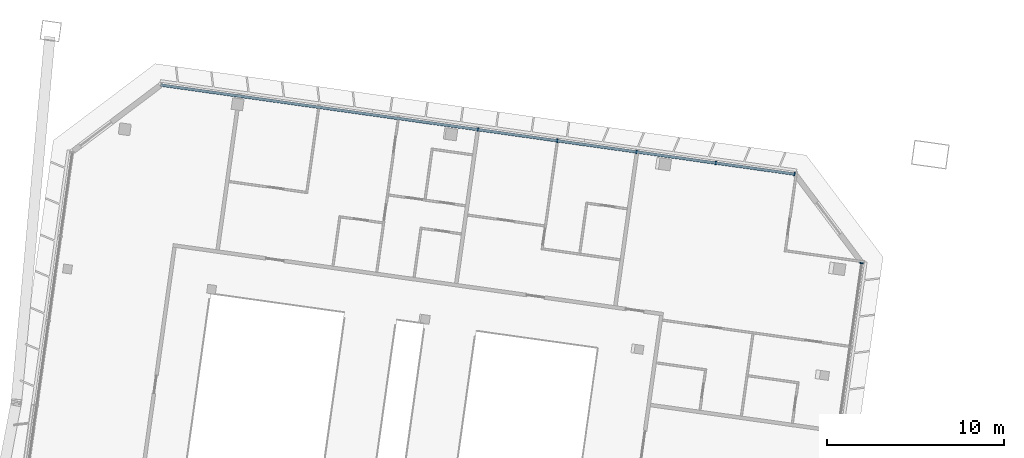
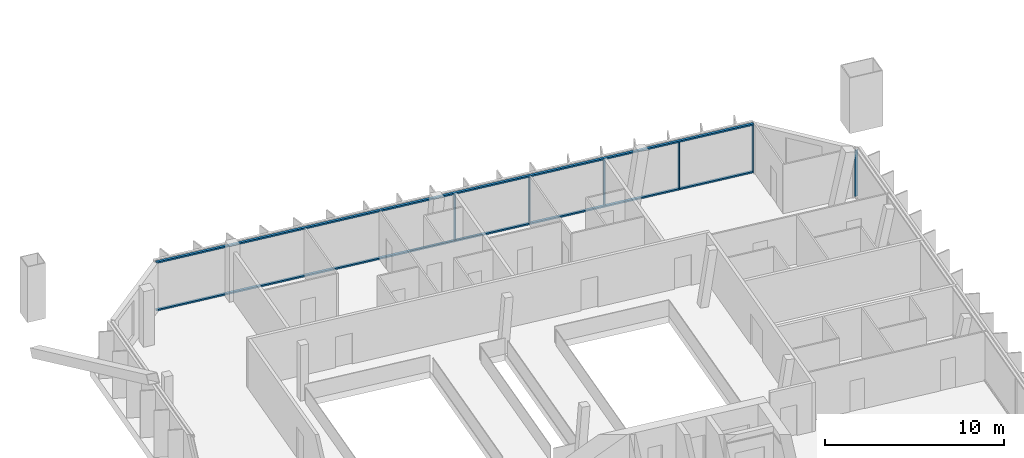
# One storey, part 5 of 19: 8 members, 2 elements without a shape of their own.
"""IFC4 building model written with IfcOpenShell, lengths in metres."""

from ifc_helpers import new_model, si_unit, direction, frame, origin, origin_2d, place, context, subcontext, project, spatial, rectangle, extrude, material, material_profile, profile_set, type_object, element, aggregate, save


model = new_model("IFC4")

# Units and contexts
model_context = context("Model", 3, precision=1e-05, world=origin(), true_north=direction((0.0, 1.0)))
body_context = subcontext(model_context, "Body", "Model", "MODEL_VIEW")
ifc_project = project(units=[si_unit("LENGTHUNIT", "METRE"), si_unit("AREAUNIT", "SQUARE_METRE"), si_unit("VOLUMEUNIT", "CUBIC_METRE"), si_unit("PLANEANGLEUNIT", "RADIAN"), si_unit("MASSUNIT", "GRAM", prefix="KILO")], contexts=[model_context])

# Site, building, storey
site_placement = place(None, origin())
site = spatial("IfcSite", under=ifc_project, at=site_placement, CompositionType="ELEMENT")
building_placement = place(site_placement, origin())
building = spatial("IfcBuilding", under=site, at=building_placement, Name="Mirante Cascada Hotel Towers", CompositionType="ELEMENT")
storey_placement = place(building_placement, frame((0.0, 0.0, 239.4)))
storey = spatial("IfcBuildingStorey", under=building, at=storey_placement, Name="L57", CompositionType="ELEMENT", Elevation=239.4)

# Curtain wall, members
ifc_material_1 = material(Name="Aluminium mullion and transom frame with clear laminated glass", Category="aluminium")
curtain_wall_type_1 = type_object("IfcCurtainWallType", Name="Ribbon curtain wall ECW1", PredefinedType="NOTDEFINED", material=ifc_material_1)
curtain_wall_1_placement = place(storey_placement, origin())
curtain_wall_1 = element("IfcCurtainWall", 1, at=curtain_wall_1_placement, inside=storey, type_object=curtain_wall_type_1, Name="Front ribbon wall T1 L57", PredefinedType="NOTDEFINED")
ifc_material_2 = material(Name="Anodised aluminium extrusion", Category="aluminium")
ifc_material_profile_1 = material_profile(ifc_material_2, rectangle(XDim=0.2, YDim=0.065, at=origin_2d()), Name="ECW1 MULLION 65x200")
ifc_profile_set_1 = profile_set([ifc_material_profile_1], Name="Anodised aluminium extrusion")
member_type_1 = type_object("IfcMemberType", Name="ECW1 mullion 65x200", PredefinedType="MULLION", material=ifc_profile_set_1)
member_1_placement = place(storey_placement, frame((-40.6386, 18.5304, 0.1), z_axis=(0.0, 0.0, 1.0), x_axis=(0.1391731, 0.9902681, 0.0)))
member_1 = element("IfcMember", 2, at=member_1_placement, type_object=member_type_1, Name="ECW1 mullion 5", PredefinedType="MULLION", context=body_context, shape_type="SweptSolid", body=[
    extrude(rectangle(XDim=0.2, YDim=0.065, at=origin_2d()), origin(), (0.0, 0.0, 1.0), 3.15),
])
member_2_placement = place(storey_placement, frame((-36.1712, 17.9026, 0.1), z_axis=(0.0, 0.0, 1.0), x_axis=(0.1391731, 0.9902681, 0.0)))
member_2 = element("IfcMember", 3, at=member_2_placement, type_object=member_type_1, Name="ECW1 mullion 6", PredefinedType="MULLION", context=body_context, shape_type="SweptSolid", body=[
    extrude(rectangle(XDim=0.2, YDim=0.065, at=origin_2d()), origin(), (0.0, 0.0, 1.0), 3.15),
])
member_3_placement = place(storey_placement, frame((-31.7037, 17.2747, 0.1), z_axis=(0.0, 0.0, 1.0), x_axis=(0.1391731, 0.9902681, 0.0)))
member_3 = element("IfcMember", 4, at=member_3_placement, type_object=member_type_1, Name="ECW1 mullion 7", PredefinedType="MULLION", context=body_context, shape_type="SweptSolid", body=[
    extrude(rectangle(XDim=0.2, YDim=0.065, at=origin_2d()), origin(), (0.0, 0.0, 1.0), 3.15),
])
member_4_placement = place(storey_placement, frame((-27.2363, 16.6468, 0.1), z_axis=(0.0, 0.0, 1.0), x_axis=(0.1391731, 0.9902681, 0.0)))
member_4 = element("IfcMember", 5, at=member_4_placement, type_object=member_type_1, Name="ECW1 mullion 8", PredefinedType="MULLION", context=body_context, shape_type="SweptSolid", body=[
    extrude(rectangle(XDim=0.2, YDim=0.065, at=origin_2d()), origin(), (0.0, 0.0, 1.0), 3.15),
])
member_5_placement = place(storey_placement, frame((-22.801, 16.0235, 0.1), z_axis=(0.0, 0.0, 1.0), x_axis=(0.1391731, 0.9902681, 0.0)))
member_5 = element("IfcMember", 6, at=member_5_placement, type_object=member_type_1, Name="ECW1 mullion 9", PredefinedType="MULLION", context=body_context, shape_type="SweptSolid", body=[
    extrude(rectangle(XDim=0.2, YDim=0.065, at=origin_2d()), origin(), (0.0, 0.0, 1.0), 3.15),
])
ifc_material_3 = material(Name="Anodised aluminium extrusion", Category="aluminium")
ifc_material_profile_2 = material_profile(ifc_material_3, rectangle(XDim=0.16, YDim=0.1, at=origin_2d()), Name="ECW1 TRANSOM 100x160")
ifc_profile_set_2 = profile_set([ifc_material_profile_2], Name="Anodised aluminium extrusion")
member_type_2 = type_object("IfcMemberType", Name="ECW1 transom 100x160", PredefinedType="USERDEFINED", material=ifc_profile_set_2)
member_6_placement = place(storey_placement, frame((-58.5085, 21.0419, 0.05), z_axis=(0.990268, -0.1391734, 0.0), x_axis=(0.1391734, 0.990268, 0.0)))
member_6 = element("IfcMember", 7, at=member_6_placement, type_object=member_type_2, Name="ECW1 sill transom", ObjectType="TRANSOM", PredefinedType="USERDEFINED", context=body_context, shape_type="SweptSolid", body=[
    extrude(rectangle(XDim=0.16, YDim=0.1, at=origin_2d()), origin(), (0.0, 0.0, 1.0), 36.0909),
])
member_7_placement = place(storey_placement, frame((-58.5085, 21.0419, 3.3), z_axis=(0.990268, -0.1391734, 0.0), x_axis=(0.1391734, 0.990268, 0.0)))
member_7 = element("IfcMember", 8, at=member_7_placement, type_object=member_type_2, Name="ECW1 head transom", ObjectType="TRANSOM", PredefinedType="USERDEFINED", context=body_context, shape_type="SweptSolid", body=[
    extrude(rectangle(XDim=0.16, YDim=0.1, at=origin_2d()), origin(), (0.0, 0.0, 1.0), 36.0909),
])
aggregate(curtain_wall_1, [member_6, member_7, member_1, member_2, member_3, member_4, member_5])

# Curtain wall, member
ifc_material_4 = material(Name="Aluminium mullion and transom frame with clear laminated glass", Category="aluminium")
curtain_wall_type_2 = type_object("IfcCurtainWallType", Name="End ribbon curtain wall ECW2", PredefinedType="NOTDEFINED", material=ifc_material_4)
curtain_wall_2_placement = place(storey_placement, origin())
curtain_wall_2 = element("IfcCurtainWall", 9, at=curtain_wall_2_placement, inside=storey, type_object=curtain_wall_type_2, Name="Inner end wall T1 L57", PredefinedType="NOTDEFINED")
ifc_material_5 = material(Name="Anodised aluminium extrusion", Category="aluminium")
ifc_material_profile_3 = material_profile(ifc_material_5, rectangle(XDim=0.2, YDim=0.065, at=origin_2d()), Name="ECW2 MULLION 65x200")
ifc_profile_set_3 = profile_set([ifc_material_profile_3], Name="Anodised aluminium extrusion")
member_type_3 = type_object("IfcMemberType", Name="ECW2 mullion 65x200", PredefinedType="MULLION", material=ifc_profile_set_3)
member_8_placement = place(storey_placement, frame((-19.0182, 11.0035, 0.1), z_axis=(0.0, 0.0, 1.0), x_axis=(0.9902681, -0.1391731, 0.0)))
member_8 = element("IfcMember", 10, at=member_8_placement, type_object=member_type_3, Name="ECW2 mullion 1", PredefinedType="MULLION", context=body_context, shape_type="SweptSolid", body=[
    extrude(rectangle(XDim=0.2, YDim=0.065, at=origin_2d()), origin(), (0.0, 0.0, 1.0), 3.15),
])
aggregate(curtain_wall_2, [member_8])

save(model, "model.ifc")
